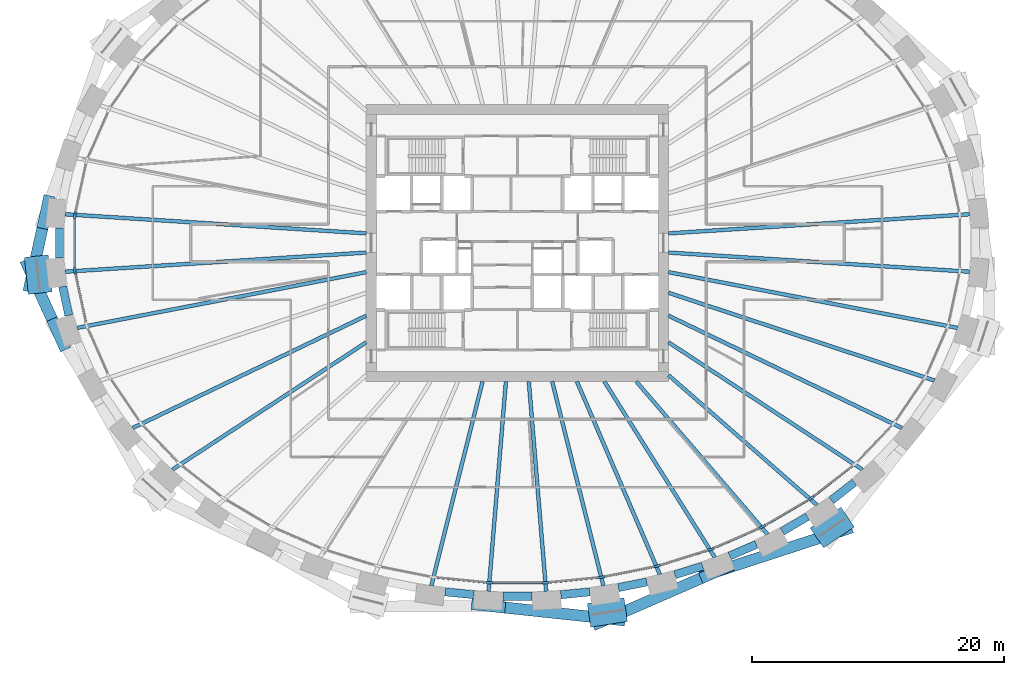
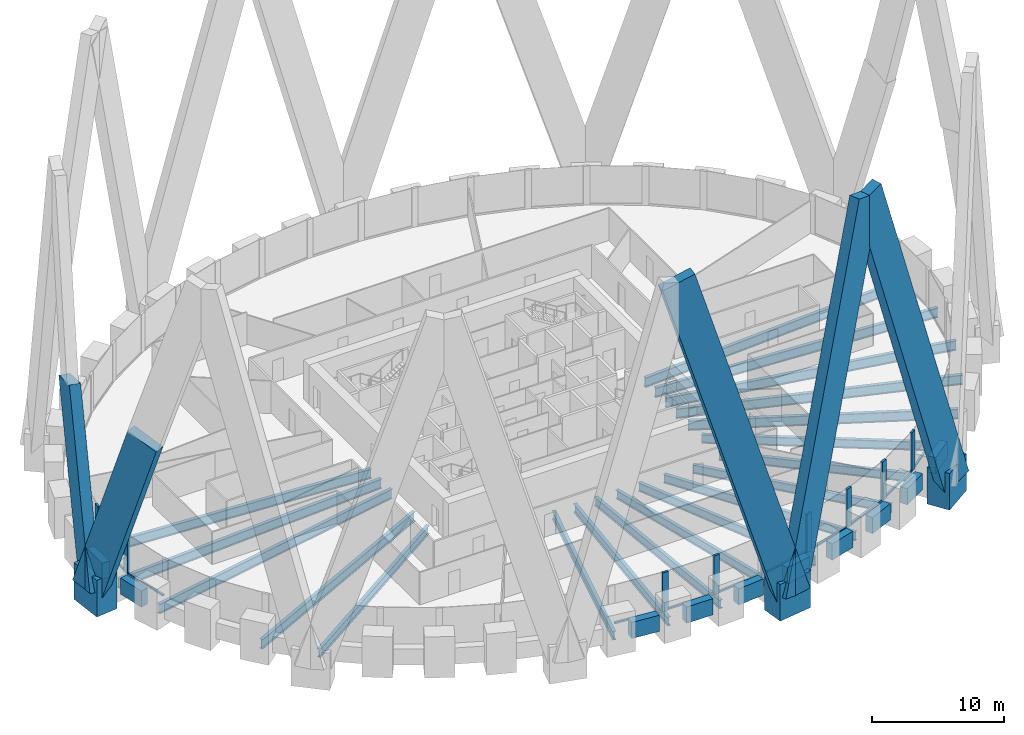
# One storey, part 2 of 12: 29 beams, 27 members, 1 element without a shape of its own.
"""IFC4 building model written with IfcOpenShell, lengths in metres."""

from ifc_helpers import new_model, si_unit, direction, frame, origin, origin_2d, place, context, subcontext, project, spatial, rectangle, i_section, extrude, source, transform, mapped, material, material_profile, profile_set, type_object, element, aggregate, save


model = new_model("IFC4")

# Units and contexts
model_context = context("Model", 3, precision=1e-05, world=origin(), true_north=direction((0.0, 1.0)))
body_context = subcontext(model_context, "Body", "Model", "MODEL_VIEW")
ifc_project = project(units=[si_unit("LENGTHUNIT", "METRE"), si_unit("AREAUNIT", "SQUARE_METRE"), si_unit("VOLUMEUNIT", "CUBIC_METRE"), si_unit("PLANEANGLEUNIT", "RADIAN"), si_unit("MASSUNIT", "GRAM", prefix="KILO")], contexts=[model_context])

# Site, building, storey
site_placement = place(None, origin())
site = spatial("IfcSite", under=ifc_project, at=site_placement, CompositionType="ELEMENT")
building_placement = place(site_placement, origin())
building = spatial("IfcBuilding", under=site, at=building_placement, Name="Embergate Tower", CompositionType="ELEMENT")
storey_placement = place(building_placement, frame((0.0, 0.0, 191.10009765625)))
storey = spatial("IfcBuildingStorey", under=building, at=storey_placement, Name="L43", CompositionType="ELEMENT", Elevation=191.10009765625)

# Beams
ifc_material_1 = material(Name="Concrete C70", Category="concrete")
ifc_material_profile_1 = material_profile(ifc_material_1, rectangle(XDim=0.64990234375, YDim=1.5, at=origin_2d()), Name="RC 650x1500")
ifc_profile_set_1 = profile_set([ifc_material_profile_1], Name="Concrete C70")
beam_type_1 = type_object("IfcBeamType", Name="Spandrel beam RC 650x1500 C70", PredefinedType="BEAM", material=ifc_profile_set_1)
shared_shape_1 = source(origin(), body_context, "Body", "SweptSolid", [
    extrude(rectangle(XDim=0.64990234375, YDim=1.5, at=origin_2d()), origin(), (0.0, 0.0, 1.0), 2.34375),
])
beam_1_placement = place(storey_placement, frame((-36.10791015625, -3.458984375, 0.0), z_axis=(0.210738330645, -0.977542508537, 0.0), x_axis=(0.977542508537, 0.210738330645, 0.0)))
element("IfcBeam", 1, at=beam_1_placement, inside=storey, type_object=beam_type_1, Name="SPN-L43-22", PredefinedType="BEAM", context=body_context, shape_type="MappedRepresentation", body=[
    mapped(shared_shape_1, transform((0.0, 0.0, 0.0))),
])
shared_shape_2 = source(origin(), body_context, "Body", "SweptSolid", [
    extrude(rectangle(XDim=0.64990234375, YDim=1.5, at=origin_2d()), origin(), (0.0, 0.0, 1.0), 2.31787109375),
])
beam_2_placement = place(storey_placement, frame((24.930908203125, -20.43603515625, 0.0), z_axis=(0.788324506127, 0.615259679354, 0.0), x_axis=(-0.615259679354, 0.788324506127, 0.0)))
element("IfcBeam", 2, at=beam_2_placement, inside=storey, type_object=beam_type_1, Name="SPN-L43-38", PredefinedType="BEAM", context=body_context, shape_type="MappedRepresentation", body=[
    mapped(shared_shape_2, transform((0.0, 0.0, 0.0))),
])
shared_shape_3 = source(origin(), body_context, "Body", "SweptSolid", [
    extrude(rectangle(XDim=0.64990234375, YDim=1.5, at=origin_2d()), origin(), (0.0, 0.0, 1.0), 2.31298828125),
])
beam_3_placement = place(storey_placement, frame((21.034912109375, -22.902099609375, 0.0), z_axis=(0.86210510292, 0.506729505279, 0.0), x_axis=(-0.506729505279, 0.86210510292, 0.0)))
element("IfcBeam", 3, at=beam_3_placement, inside=storey, type_object=beam_type_1, Name="SPN-L43-37", PredefinedType="BEAM", context=body_context, shape_type="MappedRepresentation", body=[
    mapped(shared_shape_3, transform((0.0, 0.0, 0.0))),
])
shared_shape_4 = source(origin(), body_context, "Body", "SweptSolid", [
    extrude(rectangle(XDim=0.64990234375, YDim=1.5, at=origin_2d()), origin(), (0.0, 0.0, 1.0), 2.30810546875),
])
beam_4_placement = place(storey_placement, frame((16.862060546875, -24.85400390625, 0.0), z_axis=(0.91635386748, 0.40036931645, 0.0), x_axis=(-0.40036931645, 0.91635386748, 0.0)))
element("IfcBeam", 4, at=beam_4_placement, inside=storey, type_object=beam_type_1, Name="SPN-L43-36", PredefinedType="BEAM", context=body_context, shape_type="MappedRepresentation", body=[
    mapped(shared_shape_4, transform((0.0, 0.0, 0.0))),
])
shared_shape_5 = source(origin(), body_context, "Body", "SweptSolid", [
    extrude(rectangle(XDim=0.64990234375, YDim=1.5, at=origin_2d()), origin(), (0.0, 0.0, 1.0), 2.306640625),
])
beam_5_placement = place(storey_placement, frame((12.5048828125, -26.343994140625, 0.0), z_axis=(0.954743281812, 0.297431111074, 0.0), x_axis=(-0.297431111074, 0.954743281812, 0.0)))
element("IfcBeam", 5, at=beam_5_placement, inside=storey, type_object=beam_type_1, Name="SPN-L43-35", PredefinedType="BEAM", context=body_context, shape_type="MappedRepresentation", body=[
    mapped(shared_shape_5, transform((0.0, 0.0, 0.0))),
])
shared_shape_6 = source(origin(), body_context, "Body", "SweptSolid", [
    extrude(rectangle(XDim=0.64990234375, YDim=1.5, at=origin_2d()), origin(), (0.0, 0.0, 1.0), 2.3037109375),
])
beam_6_placement = place(storey_placement, frame((8.01708984375, -27.365966796875, 0.0), z_axis=(0.980486815957, 0.196584851232, 0.0), x_axis=(-0.196584851232, 0.980486815957, 0.0)))
element("IfcBeam", 6, at=beam_6_placement, inside=storey, type_object=beam_type_1, Name="SPN-L43-34", PredefinedType="BEAM", context=body_context, shape_type="MappedRepresentation", body=[
    mapped(shared_shape_6, transform((0.0, 0.0, 0.0))),
])
shared_shape_7 = source(origin(), body_context, "Body", "SweptSolid", [
    extrude(rectangle(XDim=0.64990234375, YDim=1.5, at=origin_2d()), origin(), (0.0, 0.0, 1.0), 2.303955078125),
])
for number, where, z_axis, x_axis, name in (
    (7, (-5.741943359375, -27.705078125, 0.0), (0.995226305482, -0.097594061685, 0.0), (0.097594061685, 0.995226305482, 0.0), "SPN-L43-31"),
    (8, (3.448974609375, -27.929931640625, 0.0), (0.995226305482, 0.097594061685, 0.0), (-0.097594061685, 0.995226305482, 0.0), "SPN-L43-33"),
):
    element("IfcBeam", number, at=place(storey_placement, frame(where, z_axis=z_axis, x_axis=x_axis)), inside=storey, type_object=beam_type_1, Name=name, PredefinedType="BEAM", context=body_context, shape_type="MappedRepresentation", body=[
        mapped(shared_shape_7, transform((0.0, 0.0, 0.0))),
    ])
shared_shape_8 = source(origin(), body_context, "Body", "SweptSolid", [
    extrude(rectangle(XDim=0.64990234375, YDim=1.5, at=origin_2d()), origin(), (0.0, 0.0, 1.0), 2.30419921875),
])
beam_7_placement = place(storey_placement, frame((-1.152099609375, -28.04296875, 0.0), z_axis=(1.0, 0.0, 0.0), x_axis=(0.0, 1.0, 0.0)))
element("IfcBeam", 9, at=beam_7_placement, inside=storey, type_object=beam_type_1, Name="SPN-L43-32", PredefinedType="BEAM", context=body_context, shape_type="MappedRepresentation", body=[
    mapped(shared_shape_8, transform((0.0, 0.0, 0.0))),
])
shared_shape_9 = source(origin(), body_context, "Body", "SweptSolid", [
    extrude(rectangle(XDim=0.64990234375, YDim=1.5, at=origin_2d()), origin(), (0.0, 0.0, 1.0), 2.34423828125),
])
beam_8_placement = place(storey_placement, frame((-36.35107421875, 1.172119140625, 0.0), z_axis=(0.0, -1.0, 0.0), x_axis=(1.0, 0.0, 0.0)))
element("IfcBeam", 10, at=beam_8_placement, inside=storey, type_object=beam_type_1, Name="SPN-L43-21", PredefinedType="BEAM", context=body_context, shape_type="MappedRepresentation", body=[
    mapped(shared_shape_9, transform((0.0, 0.0, 0.0))),
])
ifc_material_2 = material(Name="Steel Q355B", Category="steel")
ifc_material_profile_2 = material_profile(ifc_material_2, i_section(OverallWidth=0.300048828125, OverallDepth=0.89990234375, WebThickness=0.01611328125, FlangeThickness=0.028076171875, FilletRadius=0.028076171875, at=origin_2d()), Name="HN 900x300x16x28")
ifc_profile_set_2 = profile_set([ifc_material_profile_2], Name="Steel Q355 grade B")
beam_type_2 = type_object("IfcBeamType", Name="Radial girder HN 900x300x16x28", PredefinedType="BEAM", material=ifc_profile_set_2)
shared_shape_10 = source(origin(), body_context, "Body", "SweptSolid", [
    extrude(i_section(OverallWidth=0.300048828125, OverallDepth=0.89990234375, WebThickness=0.01611328125, FlangeThickness=0.028076171875, FilletRadius=0.028076171875, at=origin_2d()), origin(), (0.0, 0.0, 1.0), 23.9541015625),
])
for number, where, z_axis, x_axis, name in (
    (11, (35.906005859375, 2.281005859375, -0.650146484375), (-0.997987279976, -0.063414422696, 0.0), (0.063414422696, -0.997987279976, 0.0), "GIR-L43-00"),
    (12, (-35.906005859375, 2.281005859375, -0.650146484375), (0.997987279976, -0.063414422696, 0.0), (0.063414422696, 0.997987279976, 0.0), "GIR-L43-21"),
    (13, (-35.906005859375, -2.281005859375, -0.650146484375), (0.997987279976, 0.063414422696, 0.0), (-0.063414422696, 0.997987279976, 0.0), "GIR-L43-22"),
    (14, (35.906005859375, -2.281005859375, -0.650146484375), (-0.997987279976, 0.063414422696, 0.0), (-0.063414422696, -0.997987279976, 0.0), "GIR-L43-43"),
):
    element("IfcBeam", number, at=place(storey_placement, frame(where, z_axis=z_axis, x_axis=x_axis)), inside=storey, type_object=beam_type_2, Name=name, PredefinedType="BEAM", context=body_context, shape_type="MappedRepresentation", body=[
        mapped(shared_shape_10, transform((0.0, 0.0, 0.0))),
    ])
shared_shape_11 = source(origin(), body_context, "Body", "SweptSolid", [
    extrude(i_section(OverallWidth=0.300048828125, OverallDepth=0.89990234375, WebThickness=0.01611328125, FlangeThickness=0.028076171875, FilletRadius=0.028076171875, at=origin_2d()), origin(), (0.0, 0.0, 1.0), 23.368896484375),
])
for number, where, z_axis, x_axis, name in (
    (15, (-34.946044921875, -6.740966796875, -0.650146484375), (0.981900554316, 0.189397205456, 0.0), (-0.189397205456, 0.981900554316, 0.0), "GIR-L43-23"),
    (16, (34.946044921875, -6.740966796875, -0.650146484375), (-0.981900554316, 0.189397205456, 0.0), (-0.189397205456, -0.981900554316, 0.0), "GIR-L43-42"),
):
    element("IfcBeam", number, at=place(storey_placement, frame(where, z_axis=z_axis, x_axis=x_axis)), inside=storey, type_object=beam_type_2, Name=name, PredefinedType="BEAM", context=body_context, shape_type="MappedRepresentation", body=[
        mapped(shared_shape_11, transform((0.0, 0.0, 0.0))),
    ])
shared_shape_12 = source(origin(), body_context, "Body", "SweptSolid", [
    extrude(i_section(OverallWidth=0.300048828125, OverallDepth=0.89990234375, WebThickness=0.01611328125, FlangeThickness=0.028076171875, FilletRadius=0.028076171875, at=origin_2d()), origin(), (0.0, 0.0, 1.0), 22.2314453125),
])
beam_9_placement = place(storey_placement, frame((33.113037109375, -10.919921875, -0.650146484375), z_axis=(-0.949687686315, 0.313198496903, 0.0), x_axis=(-0.313198496903, -0.949687686315, 0.0)))
element("IfcBeam", 17, at=beam_9_placement, inside=storey, type_object=beam_type_2, Name="GIR-L43-41", PredefinedType="BEAM", context=body_context, shape_type="MappedRepresentation", body=[
    mapped(shared_shape_12, transform((0.0, 0.0, 0.0))),
])
shared_shape_13 = source(origin(), body_context, "Body", "SweptSolid", [
    extrude(i_section(OverallWidth=0.300048828125, OverallDepth=0.89990234375, WebThickness=0.01611328125, FlangeThickness=0.028076171875, FilletRadius=0.028076171875, at=origin_2d()), origin(), (0.0, 0.0, 1.0), 20.580322265625),
])
for number, where, z_axis, x_axis, name in (
    (18, (-30.5458984375, -14.695068359375, -0.650146484375), (0.901141928055, 0.433524192522, 0.0), (-0.433524192522, 0.901141928055, 0.0), "GIR-L43-25"),
    (19, (30.5458984375, -14.695068359375, -0.650146484375), (-0.901141928055, 0.433524192522, 0.0), (-0.433524192522, -0.901141928055, 0.0), "GIR-L43-40"),
):
    element("IfcBeam", number, at=place(storey_placement, frame(where, z_axis=z_axis, x_axis=x_axis)), inside=storey, type_object=beam_type_2, Name=name, PredefinedType="BEAM", context=body_context, shape_type="MappedRepresentation", body=[
        mapped(shared_shape_13, transform((0.0, 0.0, 0.0))),
    ])
ifc_material_profile_3 = material_profile(ifc_material_2, i_section(OverallWidth=0.300048828125, OverallDepth=0.800048828125, WebThickness=0.013916015625, FlangeThickness=0.02587890625, FilletRadius=0.028076171875, at=origin_2d()), Name="HN 800x300x14x26")
ifc_profile_set_3 = profile_set([ifc_material_profile_3], Name="Steel Q355 grade B")
beam_type_3 = type_object("IfcBeamType", Name="Radial girder HN 800x300x14x26", PredefinedType="BEAM", material=ifc_profile_set_3)
shared_shape_14 = source(origin(), body_context, "Body", "SweptSolid", [
    extrude(i_section(OverallWidth=0.300048828125, OverallDepth=0.800048828125, WebThickness=0.013916015625, FlangeThickness=0.02587890625, FilletRadius=0.028076171875, at=origin_2d()), origin(), (0.0, 0.0, 1.0), 18.420654296875),
])
for number, where, z_axis, x_axis, name in (
    (20, (-27.39501953125, -17.9990234375, -0.60009765625), (0.835748751714, 0.549112032292, 0.0), (-0.549112032292, 0.835748751714, 0.0), "GIR-L43-26"),
    (21, (27.39501953125, -17.9990234375, -0.60009765625), (-0.835748751714, 0.549112032292, 0.0), (-0.549112032292, -0.835748751714, 0.0), "GIR-L43-39"),
):
    element("IfcBeam", number, at=place(storey_placement, frame(where, z_axis=z_axis, x_axis=x_axis)), inside=storey, type_object=beam_type_3, Name=name, PredefinedType="BEAM", context=body_context, shape_type="MappedRepresentation", body=[
        mapped(shared_shape_14, transform((0.0, 0.0, 0.0))),
    ])
shared_shape_15 = source(origin(), body_context, "Body", "SweptSolid", [
    extrude(i_section(OverallWidth=0.300048828125, OverallDepth=0.800048828125, WebThickness=0.013916015625, FlangeThickness=0.02587890625, FilletRadius=0.028076171875, at=origin_2d()), origin(), (0.0, 0.0, 1.0), 15.6689453125),
])
beam_10_placement = place(storey_placement, frame((23.794921875, -20.81005859375, -0.60009765625), z_axis=(-0.752754264338, 0.658301615919, 0.0), x_axis=(-0.658301615919, -0.752754264338, 0.0)))
element("IfcBeam", 22, at=beam_10_placement, inside=storey, type_object=beam_type_3, Name="GIR-L43-38", PredefinedType="BEAM", context=body_context, shape_type="MappedRepresentation", body=[
    mapped(shared_shape_15, transform((0.0, 0.0, 0.0))),
])
shared_shape_16 = source(origin(), body_context, "Body", "SweptSolid", [
    extrude(i_section(OverallWidth=0.300048828125, OverallDepth=0.800048828125, WebThickness=0.013916015625, FlangeThickness=0.02587890625, FilletRadius=0.028076171875, at=origin_2d()), origin(), (0.0, 0.0, 1.0), 15.98193359375),
])
beam_11_placement = place(storey_placement, frame((19.85791015625, -23.125, -0.60009765625), z_axis=(-0.651476732158, 0.758668615047, 0.0), x_axis=(-0.758668615047, -0.651476732158, 0.0)))
element("IfcBeam", 23, at=beam_11_placement, inside=storey, type_object=beam_type_3, Name="GIR-L43-37", PredefinedType="BEAM", context=body_context, shape_type="MappedRepresentation", body=[
    mapped(shared_shape_16, transform((0.0, 0.0, 0.0))),
])
shared_shape_17 = source(origin(), body_context, "Body", "SweptSolid", [
    extrude(i_section(OverallWidth=0.300048828125, OverallDepth=0.800048828125, WebThickness=0.013916015625, FlangeThickness=0.02587890625, FilletRadius=0.028076171875, at=origin_2d()), origin(), (0.0, 0.0, 1.0), 16.47802734375),
])
beam_12_placement = place(storey_placement, frame((15.672119140625, -24.9541015625, -0.60009765625), z_axis=(-0.531867473593, 0.846827603786, 0.0), x_axis=(-0.846827603786, -0.531867473593, 0.0)))
element("IfcBeam", 24, at=beam_12_placement, inside=storey, type_object=beam_type_3, Name="GIR-L43-36", PredefinedType="BEAM", context=body_context, shape_type="MappedRepresentation", body=[
    mapped(shared_shape_17, transform((0.0, 0.0, 0.0))),
])
shared_shape_18 = source(origin(), body_context, "Body", "SweptSolid", [
    extrude(i_section(OverallWidth=0.300048828125, OverallDepth=0.800048828125, WebThickness=0.013916015625, FlangeThickness=0.02587890625, FilletRadius=0.028076171875, at=origin_2d()), origin(), (0.0, 0.0, 1.0), 16.667724609375),
])
beam_13_placement = place(storey_placement, frame((11.31005859375, -26.31298828125, -0.60009765625), z_axis=(-0.394898441687, 0.918724779655, 0.0), x_axis=(-0.918724779655, -0.394898441687, 0.0)))
element("IfcBeam", 25, at=beam_13_placement, inside=storey, type_object=beam_type_3, Name="GIR-L43-35", PredefinedType="BEAM", context=body_context, shape_type="MappedRepresentation", body=[
    mapped(shared_shape_18, transform((0.0, 0.0, 0.0))),
])
shared_shape_19 = source(origin(), body_context, "Body", "SweptSolid", [
    extrude(i_section(OverallWidth=0.300048828125, OverallDepth=0.800048828125, WebThickness=0.013916015625, FlangeThickness=0.02587890625, FilletRadius=0.028076171875, at=origin_2d()), origin(), (0.0, 0.0, 1.0), 16.7138671875),
])
for number, where, z_axis, x_axis, name in (
    (26, (-6.8310546875, -27.2109375, -0.60009765625), (0.243456622588, 0.969911786153, 0.0), (-0.969911786153, 0.243456622588, 0.0), "GIR-L43-31"),
    (27, (6.8310546875, -27.2109375, -0.60009765625), (-0.243456622588, 0.969911786153, 0.0), (-0.969911786153, -0.243456622588, 0.0), "GIR-L43-34"),
):
    element("IfcBeam", number, at=place(storey_placement, frame(where, z_axis=z_axis, x_axis=x_axis)), inside=storey, type_object=beam_type_3, Name=name, PredefinedType="BEAM", context=body_context, shape_type="MappedRepresentation", body=[
        mapped(shared_shape_19, transform((0.0, 0.0, 0.0))),
    ])
shared_shape_20 = source(origin(), body_context, "Body", "SweptSolid", [
    extrude(i_section(OverallWidth=0.300048828125, OverallDepth=0.800048828125, WebThickness=0.013916015625, FlangeThickness=0.02587890625, FilletRadius=0.028076171875, at=origin_2d()), origin(), (0.0, 0.0, 1.0), 16.714599609375),
])
for number, where, z_axis, x_axis, name in (
    (28, (-2.284912109375, -27.657958984375, -0.60009765625), (0.08232138593, 0.99660583453, 0.0), (-0.99660583453, 0.08232138593, 0.0), "GIR-L43-32"),
    (29, (2.284912109375, -27.657958984375, -0.60009765625), (-0.08232138593, 0.99660583453, 0.0), (-0.99660583453, -0.08232138593, 0.0), "GIR-L43-33"),
):
    element("IfcBeam", number, at=place(storey_placement, frame(where, z_axis=z_axis, x_axis=x_axis)), inside=storey, type_object=beam_type_3, Name=name, PredefinedType="BEAM", context=body_context, shape_type="MappedRepresentation", body=[
        mapped(shared_shape_20, transform((0.0, 0.0, 0.0))),
    ])

# Members
ifc_material_profile_4 = material_profile(ifc_material_1, rectangle(XDim=1.89990234375, YDim=2.949951171875, at=origin_2d()), Name="RC 1900x2950")
ifc_profile_set_4 = profile_set([ifc_material_profile_4], Name="Concrete C70")
member_type_1 = type_object("IfcMemberType", Name="Lattice node block RC 1900x2950", PredefinedType="POST", material=ifc_profile_set_4)
shared_shape_21 = source(origin(), body_context, "Body", "SweptSolid", [
    extrude(rectangle(XDim=1.89990234375, YDim=2.949951171875, at=origin_2d()), origin(), (0.0, 0.0, 1.0), 3.400146484375),
])
for number, where, z_axis, x_axis, name in (
    (30, (-38.04296875, -2.510009765625, -1.7001953125), (0.0, 0.0, 1.0), (-0.99428589498, -0.106749983816, 0.0), "NOD-L43-22"),
    (31, (7.14697265625, -29.337890625, -1.7001953125), (0.0, 0.0, 1.0), (0.146929011949, -0.989147039346, 0.0), "NOD-L43-34"),
    (32, (25.0, -22.590087890625, -1.7001953125), (0.0, 0.0, 1.0), (0.560393279442, -0.828226643109, 0.0), "NOD-L43-38"),
):
    element("IfcMember", number, at=place(storey_placement, frame(where, z_axis=z_axis, x_axis=x_axis)), inside=storey, type_object=member_type_1, Name=name, PredefinedType="POST", context=body_context, shape_type="MappedRepresentation", body=[
        mapped(shared_shape_21, transform((0.0, 0.0, 0.0))),
    ])
ifc_material_profile_5 = material_profile(ifc_material_1, rectangle(XDim=0.89990234375, YDim=2.800048828125, at=origin_2d()), Name="RC 900x2800")
ifc_profile_set_5 = profile_set([ifc_material_profile_5], Name="Concrete C70")
member_type_2 = type_object("IfcMemberType", Name="Lattice diagonal terracotta-faced RC 900x2800", PredefinedType="BRACE", material=ifc_profile_set_5)
shared_shape_22 = source(origin(), body_context, "Body", "SweptSolid", [
    extrude(rectangle(XDim=0.89990234375, YDim=2.800048828125, at=origin_2d()), origin(), (0.0, 0.0, 1.0), 16.7099609375),
])
member_1_placement = place(storey_placement, frame((-38.533935546875, -2.56298828125, 0.0), z_axis=(0.06587908472, 0.300422652474, 0.951528336981), x_axis=(-0.97679018086, 0.214198372021, 0.0)))
element("IfcMember", 33, at=member_1_placement, inside=storey, type_object=member_type_2, Name="BRC-L43-22-20-S00", PredefinedType="BRACE", context=body_context, shape_type="MappedRepresentation", body=[
    mapped(shared_shape_22, transform((0.0, 0.0, 0.0))),
])
shared_shape_23 = source(origin(), body_context, "Body", "SweptSolid", [
    extrude(rectangle(XDim=0.89990234375, YDim=2.800048828125, at=origin_2d()), origin(), (0.0, 0.0, 1.0), 16.713623046875),
])
member_2_placement = place(storey_placement, frame((-38.533935546875, -2.56298828125, 0.0), z_axis=(0.127083703748, -0.280796555995, 0.951316470152), x_axis=(0.911038838687, 0.412320548123, 0.0)))
element("IfcMember", 34, at=member_2_placement, inside=storey, type_object=member_type_2, Name="BRC-L43-22-24-S00", PredefinedType="BRACE", context=body_context, shape_type="MappedRepresentation", body=[
    mapped(shared_shape_23, transform((0.0, 0.0, 0.0))),
])
shared_shape_24 = source(origin(), body_context, "Body", "SweptSolid", [
    extrude(rectangle(XDim=0.89990234375, YDim=2.800048828125, at=origin_2d()), origin(), (0.0, 0.0, 1.0), 33.208740234375),
])
member_3_placement = place(storey_placement, frame((7.218994140625, -29.825927734375, 0.0), z_axis=(-0.286554799699, 0.030619855835, 0.95757442071), x_axis=(-0.106250286639, -0.994339417196, 0.0)))
element("IfcMember", 35, at=member_3_placement, inside=storey, type_object=member_type_2, Name="BRC-L43-34-32-S00", PredefinedType="BRACE", context=body_context, shape_type="MappedRepresentation", body=[
    mapped(shared_shape_24, transform((0.0, 0.0, 0.0))),
])
shared_shape_25 = source(origin(), body_context, "Body", "SweptSolid", [
    extrude(rectangle(XDim=0.89990234375, YDim=2.800048828125, at=origin_2d()), origin(), (0.0, 0.0, 1.0), 33.147705078125),
])
member_4_placement = place(storey_placement, frame((7.218994140625, -29.825927734375, 0.0), z_axis=(0.258843535123, 0.112584858807, 0.959335537699), x_axis=(-0.398857775379, 0.917012799812, 0.0)))
element("IfcMember", 36, at=member_4_placement, inside=storey, type_object=member_type_2, Name="BRC-L43-34-36-S00", PredefinedType="BRACE", context=body_context, shape_type="MappedRepresentation", body=[
    mapped(shared_shape_25, transform((0.0, 0.0, 0.0))),
])
shared_shape_26 = source(origin(), body_context, "Body", "SweptSolid", [
    extrude(rectangle(XDim=0.89990234375, YDim=2.800048828125, at=origin_2d()), origin(), (0.0, 0.0, 1.0), 33.325927734375),
])
member_5_placement = place(storey_placement, frame((25.27587890625, -22.998046875, 0.0), z_axis=(-0.28436675277, -0.092898853386, 0.954204041575), x_axis=(0.310535906574, -0.950561650146, 0.0)))
element("IfcMember", 37, at=member_5_placement, inside=storey, type_object=member_type_2, Name="BRC-L43-38-36-S00", PredefinedType="BRACE", context=body_context, shape_type="MappedRepresentation", body=[
    mapped(shared_shape_26, transform((0.0, 0.0, 0.0))),
])

# Curtain wall, members
ifc_material_3 = material(Name="Aluminium and glass", Category="aluminium")
curtain_wall_type = type_object("IfcCurtainWallType", Name="Recessed office glazing", PredefinedType="NOTDEFINED", material=ifc_material_3)
curtain_wall_placement = place(storey_placement, origin())
curtain_wall = element("IfcCurtainWall", 38, at=curtain_wall_placement, inside=storey, type_object=curtain_wall_type, Name="Recessed office glazing ring", ObjectType="RECESSED OFFICE GLAZING", PredefinedType="USERDEFINED")
ifc_material_4 = material(Name="Aluminium, thermally broken", Category="aluminium")
ifc_material_profile_6 = material_profile(ifc_material_4, rectangle(XDim=0.179931640625, YDim=0.52001953125, at=origin_2d()), Name="AL 520x180")
ifc_profile_set_6 = profile_set([ifc_material_profile_6], Name="Aluminium, thermally broken")
member_type_3 = type_object("IfcMemberType", Name="Office mullion", PredefinedType="MULLION", material=ifc_profile_set_6)
shared_shape_27 = source(origin(), body_context, "Body", "SweptSolid", [
    extrude(rectangle(XDim=0.179931640625, YDim=0.52001953125, at=origin_2d()), origin(), (0.0, 0.0, 1.0), 3.599853515625),
])
member_6_placement = place(storey_placement, frame((-35.13623046875, 2.215087890625, 0.0), z_axis=(0.0, 0.0, 1.0), x_axis=(0.994384770038, -0.105824992874, 0.0)))
member_6 = element("IfcMember", 39, at=member_6_placement, type_object=member_type_3, Name="CW mullion 22", PredefinedType="MULLION", context=body_context, shape_type="MappedRepresentation", body=[
    mapped(shared_shape_27, transform((0.0, 0.0, 0.0))),
])
member_7_placement = place(storey_placement, frame((-35.13623046875, -2.215087890625, 0.0), z_axis=(0.0, 0.0, 1.0), x_axis=(0.994384770038, 0.105824992874, 0.0)))
member_7 = element("IfcMember", 40, at=member_7_placement, type_object=member_type_3, Name="CW mullion 23", PredefinedType="MULLION", context=body_context, shape_type="MappedRepresentation", body=[
    mapped(shared_shape_27, transform((0.0, 0.0, 0.0))),
])
member_8_placement = place(storey_placement, frame((-2.240966796875, -26.974365234375, 0.0), z_axis=(0.0, 0.0, 1.0), x_axis=(0.048970053385, 0.998800247232, 0.0)))
member_8 = element("IfcMember", 41, at=member_8_placement, type_object=member_type_3, Name="CW mullion 33", PredefinedType="MULLION", context=body_context, shape_type="MappedRepresentation", body=[
    mapped(shared_shape_27, transform((0.0, 0.0, 0.0))),
])
member_9_placement = place(storey_placement, frame((2.240966796875, -26.974365234375, 0.0), z_axis=(0.0, 0.0, 1.0), x_axis=(-0.048970053385, 0.998800247232, 0.0)))
member_9 = element("IfcMember", 42, at=member_9_placement, type_object=member_type_3, Name="CW mullion 34", PredefinedType="MULLION", context=body_context, shape_type="MappedRepresentation", body=[
    mapped(shared_shape_27, transform((0.0, 0.0, 0.0))),
])
member_10_placement = place(storey_placement, frame((6.701171875, -26.535888671875, 0.0), z_axis=(0.0, 0.0, 1.0), x_axis=(-0.147410656556, 0.989075375456, 0.0)))
member_10 = element("IfcMember", 43, at=member_10_placement, type_object=member_type_3, Name="CW mullion 35", PredefinedType="MULLION", context=body_context, shape_type="MappedRepresentation", body=[
    mapped(shared_shape_27, transform((0.0, 0.0, 0.0))),
])
member_11_placement = place(storey_placement, frame((11.093994140625, -25.65478515625, 0.0), z_axis=(0.0, 0.0, 1.0), x_axis=(-0.247310190257, 0.968936360034, 0.0)))
member_11 = element("IfcMember", 44, at=member_11_placement, type_object=member_type_3, Name="CW mullion 36", PredefinedType="MULLION", context=body_context, shape_type="MappedRepresentation", body=[
    mapped(shared_shape_27, transform((0.0, 0.0, 0.0))),
])
member_12_placement = place(storey_placement, frame((15.369873046875, -24.3232421875, 0.0), z_axis=(0.0, 0.0, 1.0), x_axis=(-0.349499412327, 0.936936583117, 0.0)))
member_12 = element("IfcMember", 45, at=member_12_placement, type_object=member_type_3, Name="CW mullion 37", PredefinedType="MULLION", context=body_context, shape_type="MappedRepresentation", body=[
    mapped(shared_shape_27, transform((0.0, 0.0, 0.0))),
])
member_13_placement = place(storey_placement, frame((19.469970703125, -22.530517578125, 0.0), z_axis=(0.0, 0.0, 1.0), x_axis=(-0.454506716612, 0.890743310138, 0.0)))
member_13 = element("IfcMember", 46, at=member_13_placement, type_object=member_type_3, Name="CW mullion 38", PredefinedType="MULLION", context=body_context, shape_type="MappedRepresentation", body=[
    mapped(shared_shape_27, transform((0.0, 0.0, 0.0))),
])
member_14_placement = place(storey_placement, frame((23.323486328125, -20.264892578125, 0.0), z_axis=(0.0, 0.0, 1.0), x_axis=(-0.56221328843, 0.826992272221, 0.0)))
member_14 = element("IfcMember", 47, at=member_14_placement, type_object=member_type_3, Name="CW mullion 39", PredefinedType="MULLION", context=body_context, shape_type="MappedRepresentation", body=[
    mapped(shared_shape_27, transform((0.0, 0.0, 0.0))),
])
ifc_material_profile_7 = material_profile(ifc_material_4, rectangle(XDim=0.179931640625, YDim=0.14990234375, at=origin_2d()), Name="AL 150x180")
ifc_profile_set_7 = profile_set([ifc_material_profile_7], Name="Aluminium, thermally broken")
member_type_4 = type_object("IfcMemberType", Name="Office sill transom", PredefinedType="USERDEFINED", material=ifc_profile_set_7)
shared_shape_28 = source(origin(), body_context, "Body", "SweptSolid", [
    extrude(rectangle(XDim=0.179931640625, YDim=0.14990234375, at=origin_2d()), origin(), (0.0, 0.0, 1.0), 3.91259765625),
])
member_15_placement = place(storey_placement, frame((-35.08154296875, -2.46923828125, 0.074951171875), z_axis=(0.210411119348, -0.977612991349, 0.0), x_axis=(0.977612991349, 0.210411119348, 0.0)))
member_15 = element("IfcMember", 48, at=member_15_placement, type_object=member_type_4, Name="CW transom 23.1", ObjectType="TRANSOM", PredefinedType="USERDEFINED", context=body_context, shape_type="MappedRepresentation", body=[
    mapped(shared_shape_28, transform((0.0, 0.0, 0.0))),
])
shared_shape_29 = source(origin(), body_context, "Body", "SweptSolid", [
    extrude(rectangle(XDim=0.179931640625, YDim=0.14990234375, at=origin_2d()), origin(), (0.0, 0.0, 1.0), 3.9443359375),
])
member_16_placement = place(storey_placement, frame((23.528564453125, -20.10498046875, 0.074951171875), z_axis=(0.788294548802, 0.615298061373, 0.0), x_axis=(-0.615298061373, 0.788294548802, 0.0)))
member_16 = element("IfcMember", 49, at=member_16_placement, type_object=member_type_4, Name="CW transom 39.1", ObjectType="TRANSOM", PredefinedType="USERDEFINED", context=body_context, shape_type="MappedRepresentation", body=[
    mapped(shared_shape_29, transform((0.0, 0.0, 0.0))),
])
shared_shape_30 = source(origin(), body_context, "Body", "SweptSolid", [
    extrude(rectangle(XDim=0.179931640625, YDim=0.14990234375, at=origin_2d()), origin(), (0.0, 0.0, 1.0), 3.950439453125),
])
member_17_placement = place(storey_placement, frame((19.694091796875, -22.398681640625, 0.074951171875), z_axis=(0.862050167167, 0.506822956551, 0.0), x_axis=(-0.506822956551, 0.862050167167, 0.0)))
member_17 = element("IfcMember", 50, at=member_17_placement, type_object=member_type_4, Name="CW transom 38.1", ObjectType="TRANSOM", PredefinedType="USERDEFINED", context=body_context, shape_type="MappedRepresentation", body=[
    mapped(shared_shape_30, transform((0.0, 0.0, 0.0))),
])
shared_shape_31 = source(origin(), body_context, "Body", "SweptSolid", [
    extrude(rectangle(XDim=0.179931640625, YDim=0.14990234375, at=origin_2d()), origin(), (0.0, 0.0, 1.0), 3.954833984375),
])
member_18_placement = place(storey_placement, frame((15.60791015625, -24.218994140625, 0.074951171875), z_axis=(0.916266391988, 0.400569468275, 0.0), x_axis=(-0.400569468275, 0.916266391988, 0.0)))
member_18 = element("IfcMember", 51, at=member_18_placement, type_object=member_type_4, Name="CW transom 37.1", ObjectType="TRANSOM", PredefinedType="USERDEFINED", context=body_context, shape_type="MappedRepresentation", body=[
    mapped(shared_shape_31, transform((0.0, 0.0, 0.0))),
])
shared_shape_32 = source(origin(), body_context, "Body", "SweptSolid", [
    extrude(rectangle(XDim=0.179931640625, YDim=0.14990234375, at=origin_2d()), origin(), (0.0, 0.0, 1.0), 3.958251953125),
])
member_19_placement = place(storey_placement, frame((11.34228515625, -25.577392578125, 0.074951171875), z_axis=(0.954786767663, 0.297291487089, 0.0), x_axis=(-0.297291487089, 0.954786767663, 0.0)))
member_19 = element("IfcMember", 52, at=member_19_placement, type_object=member_type_4, Name="CW transom 36.1", ObjectType="TRANSOM", PredefinedType="USERDEFINED", context=body_context, shape_type="MappedRepresentation", body=[
    mapped(shared_shape_32, transform((0.0, 0.0, 0.0))),
])
shared_shape_33 = source(origin(), body_context, "Body", "SweptSolid", [
    extrude(rectangle(XDim=0.179931640625, YDim=0.14990234375, at=origin_2d()), origin(), (0.0, 0.0, 1.0), 3.96044921875),
])
member_20_placement = place(storey_placement, frame((6.9560546875, -26.484619140625, 0.074951171875), z_axis=(0.980485720441, 0.196590315152, 0.0), x_axis=(-0.196590315152, 0.980485720441, 0.0)))
member_20 = element("IfcMember", 53, at=member_20_placement, type_object=member_type_4, Name="CW transom 35.1", ObjectType="TRANSOM", PredefinedType="USERDEFINED", context=body_context, shape_type="MappedRepresentation", body=[
    mapped(shared_shape_33, transform((0.0, 0.0, 0.0))),
])
shared_shape_34 = source(origin(), body_context, "Body", "SweptSolid", [
    extrude(rectangle(XDim=0.179931640625, YDim=0.14990234375, at=origin_2d()), origin(), (0.0, 0.0, 1.0), 3.961669921875),
])
member_21_placement = place(storey_placement, frame((-6.4423828125, -26.561279296875, 0.074951171875), z_axis=(0.995199969404, -0.097862254716, 0.0), x_axis=(0.097862254716, 0.995199969404, 0.0)))
member_21 = element("IfcMember", 54, at=member_21_placement, type_object=member_type_4, Name="CW transom 32.1", ObjectType="TRANSOM", PredefinedType="USERDEFINED", context=body_context, shape_type="MappedRepresentation", body=[
    mapped(shared_shape_34, transform((0.0, 0.0, 0.0))),
])
member_22_placement = place(storey_placement, frame((2.499755859375, -26.948974609375, 0.074951171875), z_axis=(0.995199969404, 0.097862254716, 0.0), x_axis=(-0.097862254716, 0.995199969404, 0.0)))
member_22 = element("IfcMember", 55, at=member_22_placement, type_object=member_type_4, Name="CW transom 34.1", ObjectType="TRANSOM", PredefinedType="USERDEFINED", context=body_context, shape_type="MappedRepresentation", body=[
    mapped(shared_shape_34, transform((0.0, 0.0, 0.0))),
])
shared_shape_35 = source(origin(), body_context, "Body", "SweptSolid", [
    extrude(rectangle(XDim=0.179931640625, YDim=0.14990234375, at=origin_2d()), origin(), (0.0, 0.0, 1.0), 3.9619140625),
])
member_23_placement = place(storey_placement, frame((-1.98095703125, -26.974365234375, 0.074951171875), z_axis=(1.0, 0.0, 0.0), x_axis=(0.0, 1.0, 0.0)))
member_23 = element("IfcMember", 56, at=member_23_placement, type_object=member_type_4, Name="CW transom 33.1", ObjectType="TRANSOM", PredefinedType="USERDEFINED", context=body_context, shape_type="MappedRepresentation", body=[
    mapped(shared_shape_35, transform((0.0, 0.0, 0.0))),
])
shared_shape_36 = source(origin(), body_context, "Body", "SweptSolid", [
    extrude(rectangle(XDim=0.179931640625, YDim=0.14990234375, at=origin_2d()), origin(), (0.0, 0.0, 1.0), 3.91015625),
])
member_24_placement = place(storey_placement, frame((-35.13623046875, 1.955078125, 0.074951171875), z_axis=(0.0, -1.0, 0.0), x_axis=(1.0, 0.0, 0.0)))
member_24 = element("IfcMember", 57, at=member_24_placement, type_object=member_type_4, Name="CW transom 22.1", ObjectType="TRANSOM", PredefinedType="USERDEFINED", context=body_context, shape_type="MappedRepresentation", body=[
    mapped(shared_shape_36, transform((0.0, 0.0, 0.0))),
])
aggregate(curtain_wall, [member_6, member_7, member_8, member_9, member_10, member_11, member_12, member_13, member_14, member_24, member_15, member_21, member_23, member_22, member_20, member_19, member_18, member_17, member_16])

save(model, "model.ifc")
